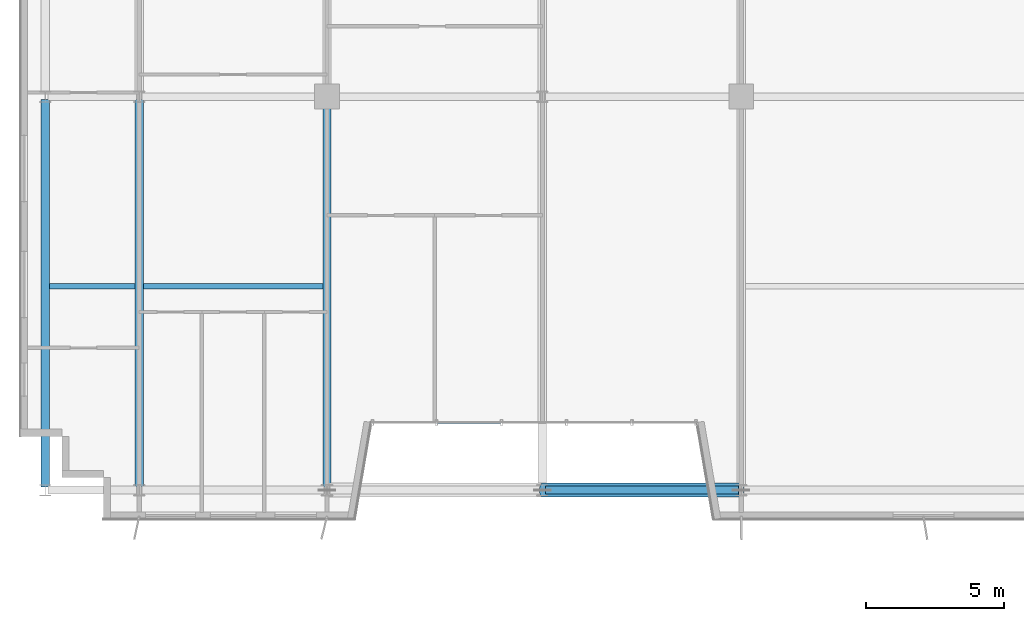
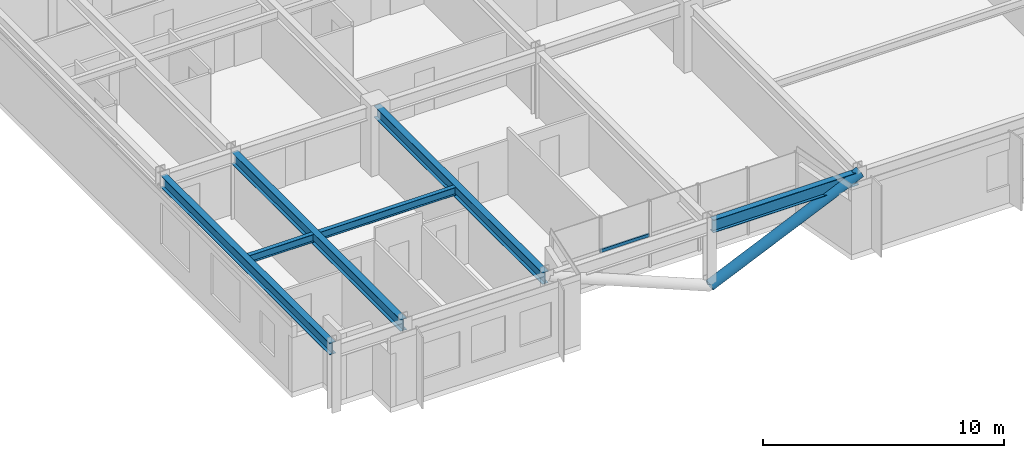
# One storey, part 5 of 25: 6 beams, 2 members, 1 element without a shape of its own.
"""IFC4 building model written with IfcOpenShell, lengths in metres."""

from ifc_helpers import new_model, si_unit, direction, frame, origin, origin_2d, place, context, subcontext, project, spatial, hollow_rectangle, hollow_circle, i_section, extrude, source, transform, mapped, material, material_profile, profile_set, type_object, element, aggregate, save


model = new_model("IFC4")

# Units and contexts
model_context = context("Model", 3, precision=1e-05, world=origin(), true_north=direction((0.0, 1.0)))
body_context = subcontext(model_context, "Body", "Model", "MODEL_VIEW")
ifc_project = project(units=[si_unit("LENGTHUNIT", "METRE"), si_unit("AREAUNIT", "SQUARE_METRE"), si_unit("VOLUMEUNIT", "CUBIC_METRE"), si_unit("PLANEANGLEUNIT", "RADIAN"), si_unit("MASSUNIT", "GRAM", prefix="KILO")], contexts=[model_context])

# Site, building, storey
site_placement = place(None, origin())
site = spatial("IfcSite", under=ifc_project, at=site_placement, CompositionType="ELEMENT")
building_placement = place(site_placement, origin())
building = spatial("IfcBuilding", under=site, at=building_placement, Name="Trelvane Seafront Commons", CompositionType="ELEMENT")
storey_placement = place(building_placement, frame((0.0, 0.0, 66.699951171875)))
storey = spatial("IfcBuildingStorey", under=building, at=storey_placement, Name="L17", CompositionType="ELEMENT", Elevation=66.699951171875)

# Beams
ifc_material_1 = material(Name="Steel SM355 (S355)", Category="steel")
ifc_material_profile_1 = material_profile(ifc_material_1, i_section(OverallWidth=0.280029296875, OverallDepth=0.64990234375, WebThickness=0.012939453125, FlangeThickness=0.02197265625, at=origin_2d()), Name="H-650x280x13x22")
ifc_profile_set_1 = profile_set([ifc_material_profile_1], Name="Steel SM355 (S355)")
beam_type_1 = type_object("IfcBeamType", Name="STR-BM-H650", PredefinedType="BEAM", material=ifc_profile_set_1)
shared_shape_1 = source(origin(), body_context, "Body", "SweptSolid", [
    extrude(i_section(OverallWidth=0.280029296875, OverallDepth=0.64990234375, WebThickness=0.012939453125, FlangeThickness=0.02197265625, at=origin_2d()), origin(), (0.0, 0.0, 1.0), 6.990234375),
])
beam_1_placement = place(storey_placement, frame((23.5048828125, 3.949951171875, 3.01513671875), z_axis=(1.0, 0.0, 0.0), x_axis=(0.0, 1.0, 0.0)))
element("IfcBeam", 1, at=beam_1_placement, inside=storey, type_object=beam_type_1, Name="L17 Primary Girder G-04", PredefinedType="BEAM", context=body_context, shape_type="MappedRepresentation", body=[
    mapped(shared_shape_1, transform((0.0, 0.0, 0.0), x_axis=(1.0, 0.0, 0.0), y_axis=(0.0, 1.0, 0.0), z_axis=(0.0, 0.0, 1.0), scale=1.0)),
])
ifc_material_profile_2 = material_profile(ifc_material_1, i_section(OverallWidth=0.300048828125, OverallDepth=0.587890625, WebThickness=0.011962890625, FlangeThickness=0.02001953125, at=origin_2d()), Name="H-588x300x12x20")
ifc_profile_set_2 = profile_set([ifc_material_profile_2], Name="Steel SM355 (S355)")
beam_type_2 = type_object("IfcBeamType", Name="STR-BM-H588", PredefinedType="BEAM", material=ifc_profile_set_2)
shared_shape_2 = source(origin(), body_context, "Body", "SweptSolid", [
    extrude(i_section(OverallWidth=0.300048828125, OverallDepth=0.587890625, WebThickness=0.011962890625, FlangeThickness=0.02001953125, at=origin_2d()), origin(), (0.0, 0.0, 1.0), 14.0400390625),
])
for number, where, z_axis, x_axis, name in (
    (2, (5.39990234375, 4.054931640625, 3.046142578125), (0.0, 1.0, 0.0), (-1.0, 0.0, 0.0), "L17 Primary Girder G-37"),
    (3, (8.800048828125, 4.054931640625, 3.046142578125), (0.0, 1.0, 0.0), (-1.0, 0.0, 0.0), "L17 Primary Girder G-40"),
):
    element("IfcBeam", number, at=place(storey_placement, frame(where, z_axis=z_axis, x_axis=x_axis)), inside=storey, type_object=beam_type_2, Name=name, PredefinedType="BEAM", context=body_context, shape_type="MappedRepresentation", body=[
        mapped(shared_shape_2, transform((0.0, 0.0, 0.0), x_axis=(1.0, 0.0, 0.0), y_axis=(0.0, 1.0, 0.0), z_axis=(0.0, 0.0, 1.0), scale=1.0)),
    ])
shared_shape_3 = source(origin(), body_context, "Body", "SweptSolid", [
    extrude(i_section(OverallWidth=0.300048828125, OverallDepth=0.587890625, WebThickness=0.011962890625, FlangeThickness=0.02001953125, at=origin_2d()), origin(), (0.0, 0.0, 1.0), 13.9951171875),
])
beam_2_placement = place(storey_placement, frame((15.60009765625, 4.054931640625, 3.046142578125), z_axis=(0.0, 1.0, 0.0), x_axis=(-1.0, 0.0, 0.0)))
element("IfcBeam", 4, at=beam_2_placement, inside=storey, type_object=beam_type_2, Name="L17 Primary Girder G-43", PredefinedType="BEAM", context=body_context, shape_type="MappedRepresentation", body=[
    mapped(shared_shape_3, transform((0.0, 0.0, 0.0), x_axis=(1.0, 0.0, 0.0), y_axis=(0.0, 1.0, 0.0), z_axis=(0.0, 0.0, 1.0), scale=1.0)),
])
ifc_material_profile_3 = material_profile(ifc_material_1, i_section(OverallWidth=0.199951171875, OverallDepth=0.39990234375, WebThickness=0.008056640625, FlangeThickness=0.012939453125, at=origin_2d()), Name="H-400x200x8x13")
ifc_profile_set_3 = profile_set([ifc_material_profile_3], Name="Steel SM355 (S355)")
beam_type_3 = type_object("IfcBeamType", Name="STR-JST-H400", PredefinedType="JOIST", material=ifc_profile_set_3)
shared_shape_4 = source(origin(), body_context, "Body", "SweptSolid", [
    extrude(i_section(OverallWidth=0.199951171875, OverallDepth=0.39990234375, WebThickness=0.008056640625, FlangeThickness=0.012939453125, at=origin_2d()), origin(), (0.0, 0.0, 1.0), 3.099853515625),
])
beam_3_placement = place(storey_placement, frame((5.550048828125, 11.324951171875, 3.14013671875), z_axis=(1.0, 0.0, 0.0), x_axis=(0.0, 1.0, 0.0)))
element("IfcBeam", 5, at=beam_3_placement, inside=storey, type_object=beam_type_3, Name="L17 Secondary Floor Joist B-67", PredefinedType="JOIST", context=body_context, shape_type="MappedRepresentation", body=[
    mapped(shared_shape_4, transform((0.0, 0.0, 0.0), x_axis=(1.0, 0.0, 0.0), y_axis=(0.0, 1.0, 0.0), z_axis=(0.0, 0.0, 1.0), scale=1.0)),
])
shared_shape_5 = source(origin(), body_context, "Body", "SweptSolid", [
    extrude(i_section(OverallWidth=0.199951171875, OverallDepth=0.39990234375, WebThickness=0.008056640625, FlangeThickness=0.012939453125, at=origin_2d()), origin(), (0.0, 0.0, 1.0), 6.5),
])
beam_4_placement = place(storey_placement, frame((8.949951171875, 11.324951171875, 3.14013671875), z_axis=(1.0, 0.0, 0.0), x_axis=(0.0, 1.0, 0.0)))
element("IfcBeam", 6, at=beam_4_placement, inside=storey, type_object=beam_type_3, Name="L17 Secondary Floor Joist B-68", PredefinedType="JOIST", context=body_context, shape_type="MappedRepresentation", body=[
    mapped(shared_shape_5, transform((0.0, 0.0, 0.0), x_axis=(1.0, 0.0, 0.0), y_axis=(0.0, 1.0, 0.0), z_axis=(0.0, 0.0, 1.0), scale=1.0)),
])

# Member
ifc_material_profile_4 = material_profile(ifc_material_1, hollow_circle(Radius=0.25390625, WallThickness=0.02001953125, at=origin_2d()), Name="CHS-508x20")
ifc_profile_set_4 = profile_set([ifc_material_profile_4], Name="Steel SM355 (S355)")
member_type_1 = type_object("IfcMemberType", Name="STR-STR-CHS508", PredefinedType="STRUT", material=ifc_profile_set_4)
shared_shape_6 = source(origin(), body_context, "Body", "SweptSolid", [
    extrude(hollow_circle(Radius=0.25390625, WallThickness=0.02001953125, at=origin_2d()), origin(), (0.0, 0.0, 1.0), 7.887451171875),
])
member_1_placement = place(storey_placement, frame((23.39990234375, 3.949951171875, 0.0), z_axis=(0.912873505731, 0.0, 0.408242529062), x_axis=(0.0, 1.0, 0.0)))
element("IfcMember", 7, at=member_1_placement, inside=storey, type_object=member_type_1, Name="L17 Sky-Garden V-Chevron Brace SGV-E", PredefinedType="STRUT", context=body_context, shape_type="MappedRepresentation", body=[
    mapped(shared_shape_6, transform((0.0, 0.0, 0.0), x_axis=(1.0, 0.0, 0.0), y_axis=(0.0, 1.0, 0.0), z_axis=(0.0, 0.0, 1.0), scale=1.0)),
])

# Curtain wall, member
ifc_material_2 = material(Name="Anodised pale-silver aluminium", Category="aluminium")
curtain_wall_type = type_object("IfcCurtainWallType", Name="ARCH-CW3-PORTAL", PredefinedType="NOTDEFINED", material=ifc_material_2)
curtain_wall_placement = place(storey_placement, origin())
curtain_wall = element("IfcCurtainWall", 8, at=curtain_wall_placement, inside=storey, type_object=curtain_wall_type, Name="CW-L17-VN-0042", PredefinedType="NOTDEFINED")
ifc_material_profile_5 = material_profile(ifc_material_2, hollow_rectangle(XDim=0.080078125, YDim=0.159912109375, WallThickness=0.00439453125, at=origin_2d()), Name="TRAN-80x160x4.5")
ifc_profile_set_5 = profile_set([ifc_material_profile_5], Name="Anodised pale-silver aluminium")
member_type_2 = type_object("IfcMemberType", Name="ARCH-CW-TRAN-160", PredefinedType="USERDEFINED", material=ifc_profile_set_5)
shared_shape_7 = source(origin(), body_context, "Body", "SweptSolid", [
    extrude(hollow_rectangle(XDim=0.080078125, YDim=0.159912109375, WallThickness=0.00439453125, at=origin_2d()), origin(), (0.0, 0.0, 1.0), 2.3359375),
])
member_2_placement = place(storey_placement, frame((21.907958984375, 6.39990234375, 1.60302734375), z_axis=(-1.0, 0.0, 0.0), x_axis=(0.0, -1.0, 0.0)))
member_2 = element("IfcMember", 9, at=member_2_placement, type_object=member_type_2, Name="CW-L17-VN-0042-T03", ObjectType="TRANSOM", PredefinedType="USERDEFINED", context=body_context, shape_type="MappedRepresentation", body=[
    mapped(shared_shape_7, transform((0.0, 0.0, 0.0), x_axis=(1.0, 0.0, 0.0), y_axis=(0.0, 1.0, 0.0), z_axis=(0.0, 0.0, 1.0), scale=1.0)),
])
aggregate(curtain_wall, [member_2])

save(model, "model.ifc")
